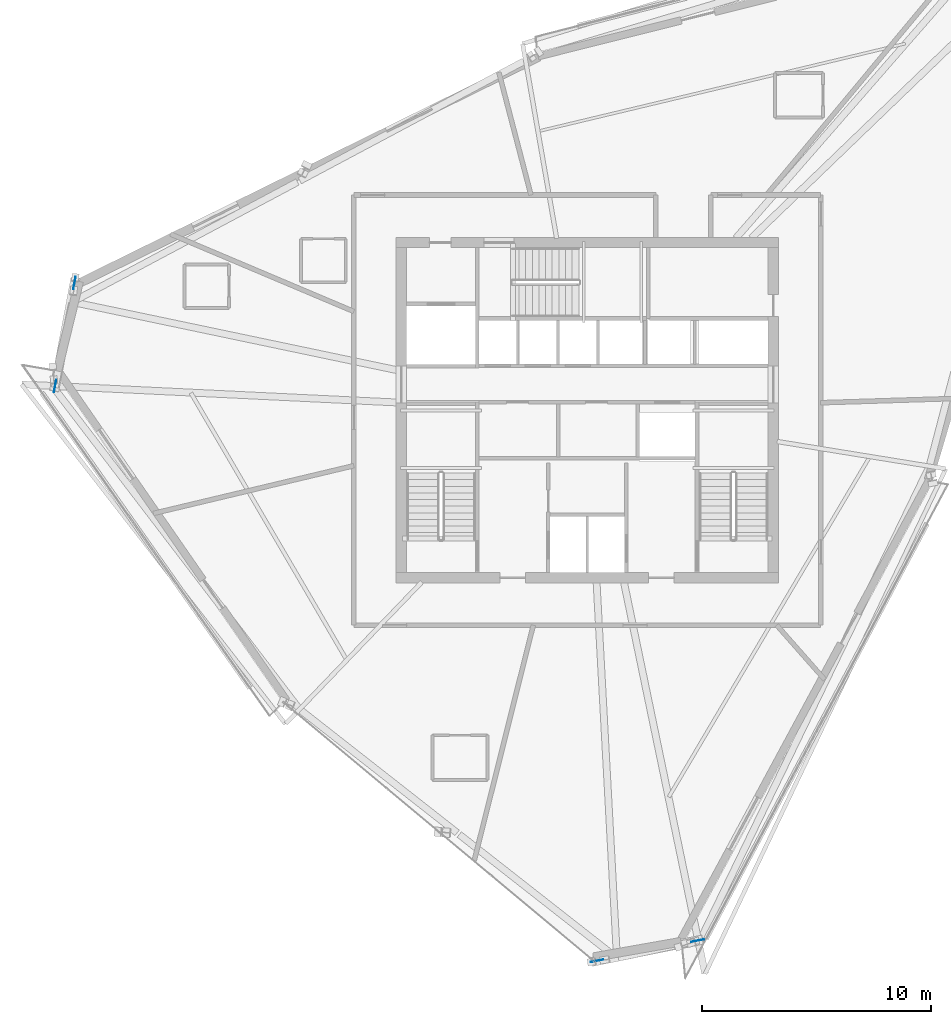
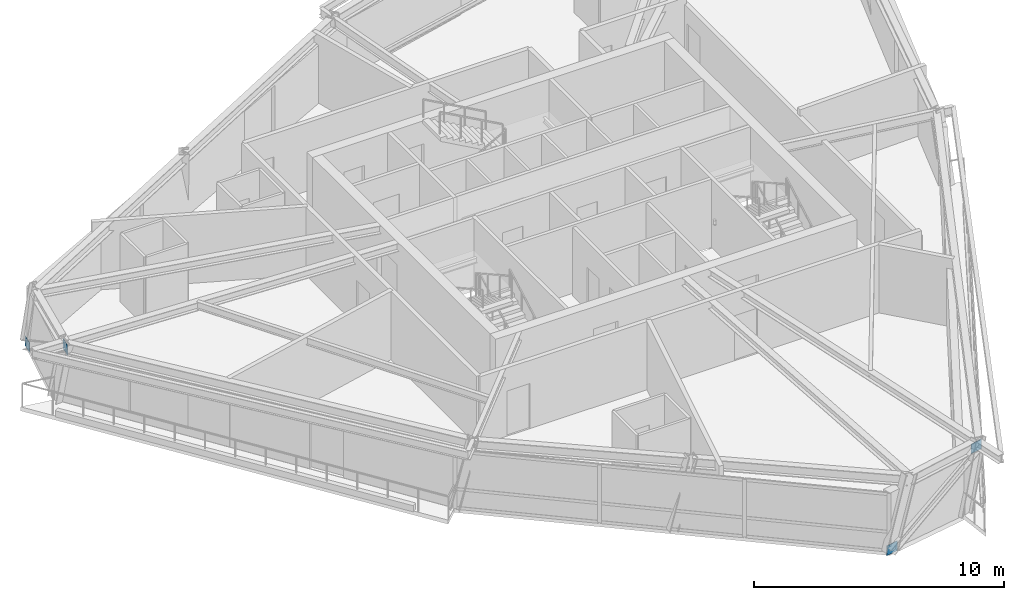
# One storey, part 7 of 14: 4 plates.
"""IFC4 building model written with IfcOpenShell, lengths in metres."""

from ifc_helpers import new_model, si_unit, direction, frame, origin, origin_2d, place, context, subcontext, project, spatial, rectangle, extrude, source, transform, mapped, material, type_object, element, save


model = new_model("IFC4")

# Units and contexts
model_context = context("Model", 3, precision=1e-05, world=origin(), true_north=direction((0.0, 1.0)))
body_context = subcontext(model_context, "Body", "Model", "MODEL_VIEW")
ifc_project = project(units=[si_unit("LENGTHUNIT", "METRE"), si_unit("AREAUNIT", "SQUARE_METRE"), si_unit("VOLUMEUNIT", "CUBIC_METRE"), si_unit("PLANEANGLEUNIT", "RADIAN"), si_unit("MASSUNIT", "GRAM", prefix="KILO")], contexts=[model_context])

# Site, building, storey
site_placement = place(None, origin())
site = spatial("IfcSite", under=ifc_project, at=site_placement, CompositionType="ELEMENT")
building_placement = place(site_placement, origin())
building = spatial("IfcBuilding", under=site, at=building_placement, Name="Olszyna Solenne Hotel", CompositionType="ELEMENT")
storey_placement = place(building_placement, frame((0.0, 0.0, 220.25)))
storey = spatial("IfcBuildingStorey", under=building, at=storey_placement, Name="L58", CompositionType="ELEMENT", Elevation=220.25)

# Plates
ifc_material = material(Name="Steel S355J2", Category="steel")
plate_type = type_object("IfcPlateType", Name="GP-ND2", PredefinedType="USERDEFINED", material=ifc_material)
shared_shape = source(origin(), body_context, "Body", "SweptSolid", [
    extrude(rectangle(XDim=0.56005859375, YDim=0.02001953125, at=origin_2d()), origin(), (0.0, 0.0, 1.0), 0.47998046875),
])
for number, where, z_axis, x_axis, name in (
    (1, (15.59033203125, 32.153564453125, -0.1552734375), (0.0, 0.0, 1.0), (-0.184980577053, -0.982742176826, 0.0), "Brace end connection gusset plate GP-ND2 EP-BR-L58-2-1"),
    (2, (14.7421875, 27.64697265625, 2.740234375), (0.0, 0.0, 1.0), (-0.184980577053, -0.982742176826, 0.0), "Brace end connection gusset plate GP-ND2 EP-BR-L58-2-2"),
    (3, (38.42041015625, 2.527587890625, -0.154296875), (0.0, 0.0, 1.0), (0.980305657405, 0.197486247774, 0.0), "Brace end connection gusset plate GP-ND2 EP-BR-L58-3-1"),
    (4, (42.828125, 3.41552734375, 2.7392578125), (0.0, 0.0, 1.0), (0.980305657405, 0.197486247774, 0.0), "Brace end connection gusset plate GP-ND2 EP-BR-L58-3-2"),
):
    element("IfcPlate", number, at=place(storey_placement, frame(where, z_axis=z_axis, x_axis=x_axis)), inside=storey, type_object=plate_type, Name=name, ObjectType="GUSSET_PLATE", PredefinedType="USERDEFINED", context=body_context, shape_type="MappedRepresentation", body=[
        mapped(shared_shape, transform((0.0, 0.0, 0.0), x_axis=(1.0, 0.0, 0.0), y_axis=(0.0, 1.0, 0.0), z_axis=(0.0, 0.0, 1.0), scale=1.0)),
    ])

save(model, "model.ifc")
